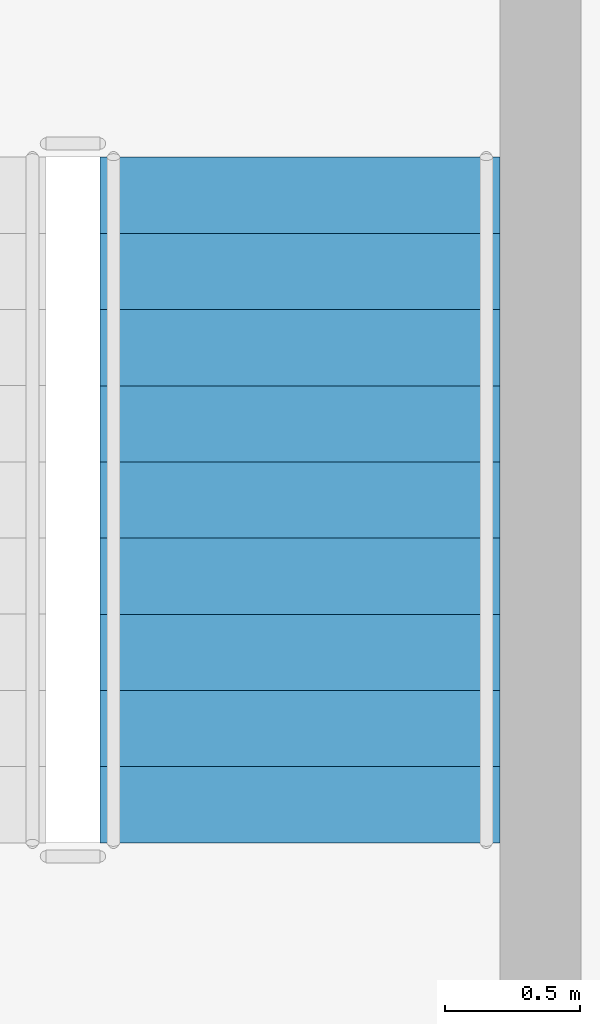
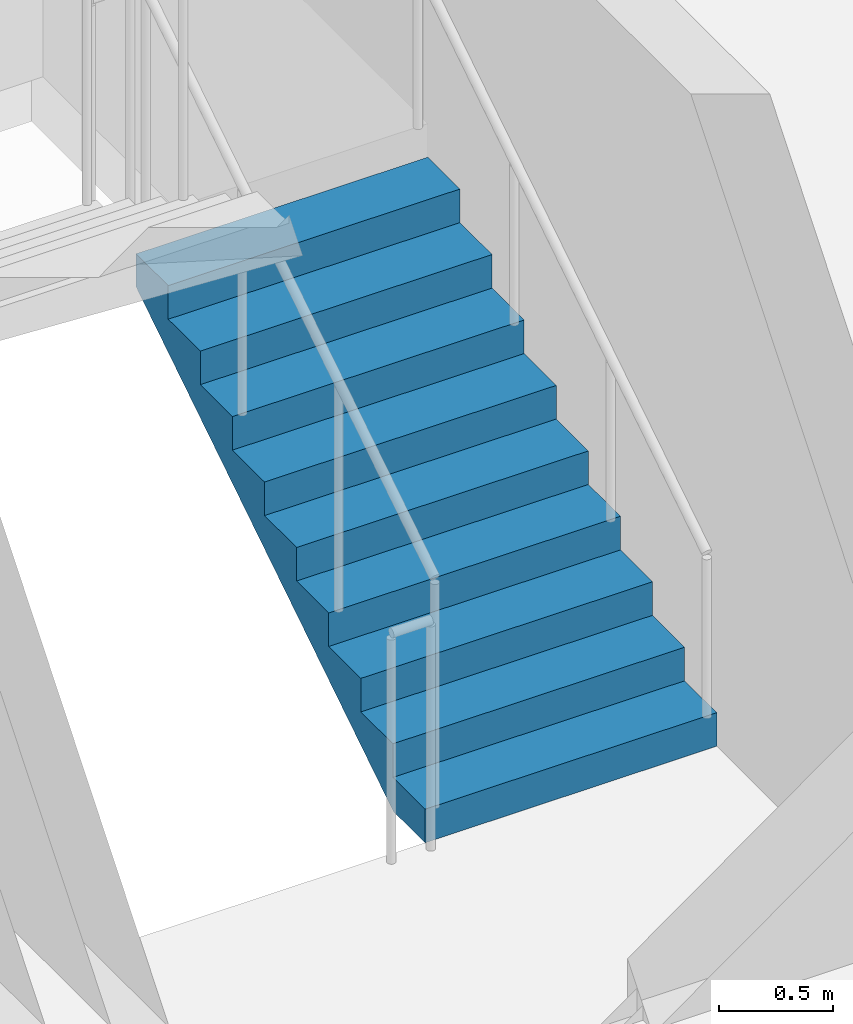
# One storey, part 11 of 12: 1 stair flight, 1 element without a shape of its own.
"""IFC4 building model written with IfcOpenShell, lengths in metres."""

from ifc_helpers import new_model, si_unit, direction, frame, origin, place, context, subcontext, project, spatial, polyline, outline, extrude, material, type_object, element, aggregate, save


model = new_model("IFC4")

# Units and contexts
model_context = context("Model", 3, precision=1e-05, world=origin(), true_north=direction((0.0, 1.0)))
body_context = subcontext(model_context, "Body", "Model", "MODEL_VIEW")
ifc_project = project(units=[si_unit("LENGTHUNIT", "METRE"), si_unit("AREAUNIT", "SQUARE_METRE"), si_unit("VOLUMEUNIT", "CUBIC_METRE"), si_unit("PLANEANGLEUNIT", "RADIAN"), si_unit("MASSUNIT", "GRAM", prefix="KILO")], contexts=[model_context])

# Site, building, storey
site_placement = place(None, origin())
site = spatial("IfcSite", under=ifc_project, at=site_placement, CompositionType="ELEMENT")
building_placement = place(site_placement, origin())
building = spatial("IfcBuilding", under=site, at=building_placement, Name="Ochreholt Gables", CompositionType="ELEMENT")
storey_placement = place(building_placement, frame((0.0, 0.0, 24.0)))
storey = spatial("IfcBuildingStorey", under=building, at=storey_placement, Name="L05", CompositionType="ELEMENT", Elevation=24.0)

# Stair, stair flight
ifc_material = material(Name="Concrete 40 MPa", Category="concrete")
stair_type = type_object("IfcStairType", Name="STAIR-CORE-ST-2", PredefinedType="HALF_TURN_STAIR", material=ifc_material)
stair_placement = place(storey_placement, origin())
stair = element("IfcStair", 1, at=stair_placement, inside=storey, type_object=stair_type, Name="L05 Core Exit Stair 2", PredefinedType="HALF_TURN_STAIR")
stair_flight_type = type_object("IfcStairFlightType", Name="FLIGHT-ST-1480-1800", PredefinedType="STRAIGHT", material=ifc_material)
stair_flight_placement = place(storey_placement, frame((27.340087890625, 32.4599609375, 0.0), z_axis=(0.0, 0.0, 1.0), x_axis=(0.0, 1.0, 0.0)))
stair_flight = element("IfcStairFlight", 2, at=stair_flight_placement, type_object=stair_flight_type, Name="ST-2 flight 1", NumberOfRisers=10, NumberOfTreads=9, PredefinedType="STRAIGHT", RiserHeight=0.18, TreadLength=0.282, context=body_context, shape_type="SweptSolid", body=[
    extrude(outline(polyline([(0.0, 0.0), (0.0, 0.179931640625), (0.281982421875, 0.179931640625), (0.281982421875, 0.360107421875), (0.56396484375, 0.360107421875), (0.56396484375, 0.5400390625), (0.845947265625, 0.5400390625), (0.845947265625, 0.719970703125), (1.1279296875, 0.719970703125), (1.1279296875, 0.89990234375), (1.409912109375, 0.89990234375), (1.409912109375, 1.080078125), (1.69189453125, 1.080078125), (1.69189453125, 1.260009765625), (1.97412109375, 1.260009765625), (1.97412109375, 1.43994140625), (2.256103515625, 1.43994140625), (2.256103515625, 1.6201171875), (2.5380859375, 1.6201171875), (2.5380859375, 1.800048828125), (2.5380859375, 1.442138671875), (0.278564453125, 0.0), (0.0, 0.0)])), frame((0.0, 0.739990234375, 0.0), z_axis=(0.0, -1.0, 0.0), x_axis=(1.0, 0.0, 0.0)), (0.0, 0.0, 1.0), 1.47998046875),
])
aggregate(stair, [stair_flight])

save(model, "model.ifc")
